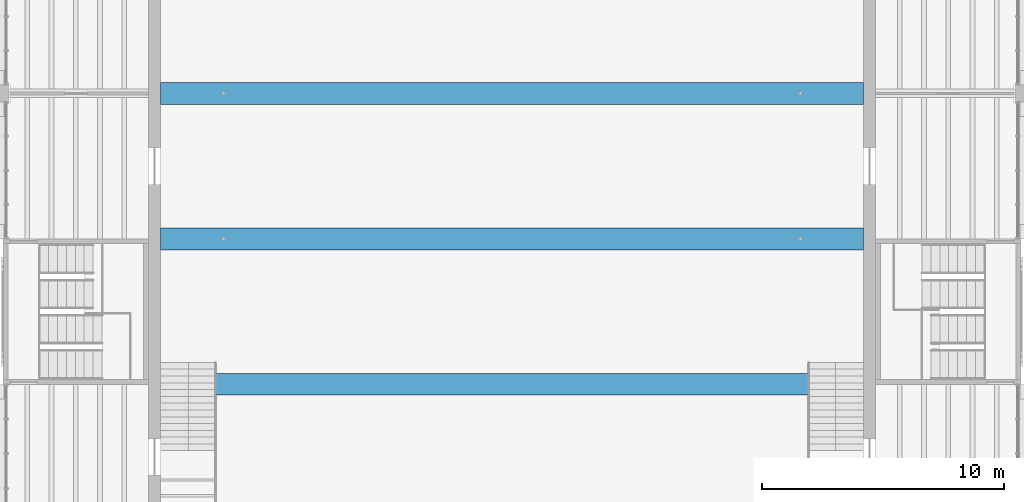
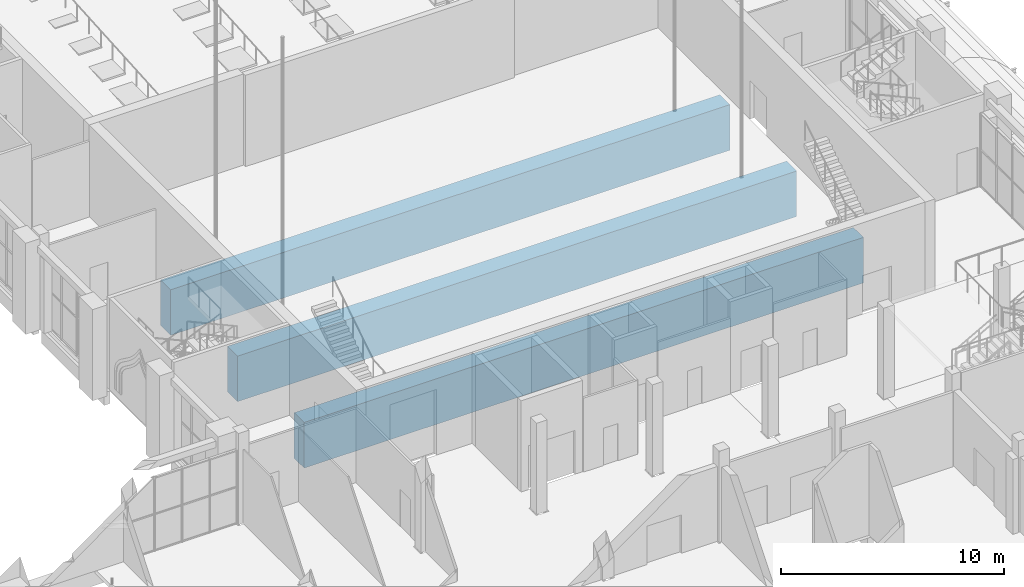
# One storey, part 12 of 80: 3 beams.
"""IFC4 building model written with IfcOpenShell, lengths in metres."""

from ifc_helpers import new_model, si_unit, direction, frame, origin, origin_2d, place, context, subcontext, project, spatial, rectangle, extrude, material, material_profile, profile_set, type_object, element, save


model = new_model("IFC4")

# Units and contexts
model_context = context("Model", 3, precision=1e-05, world=origin(), true_north=direction((0.0, 1.0)))
body_context = subcontext(model_context, "Body", "Model", "MODEL_VIEW")
ifc_project = project(units=[si_unit("LENGTHUNIT", "METRE"), si_unit("AREAUNIT", "SQUARE_METRE"), si_unit("VOLUMEUNIT", "CUBIC_METRE"), si_unit("PLANEANGLEUNIT", "RADIAN"), si_unit("MASSUNIT", "GRAM", prefix="KILO")], contexts=[model_context])

# Site, building, storey
site_placement = place(None, origin())
site = spatial("IfcSite", under=ifc_project, at=site_placement, CompositionType="ELEMENT")
building_placement = place(site_placement, origin())
building = spatial("IfcBuilding", under=site, at=building_placement, Name="Saffron Lane Theatres", CompositionType="ELEMENT")
storey_placement = place(building_placement, frame((0.0, 0.0, 7.0)))
storey = spatial("IfcBuildingStorey", under=building, at=storey_placement, Name="L01", CompositionType="ELEMENT", Elevation=7.0)

# Beams
ifc_material = material(Name="Concrete N50 (50 MPa)", Category="concrete")
ifc_material_profile = material_profile(ifc_material, rectangle(XDim=0.89990234375, YDim=2.5, at=origin_2d()))
ifc_profile_set = profile_set([ifc_material_profile], Name="Concrete N50 (50 MPa)")
beam_type = type_object("IfcBeamType", Name="RC-BEAM 900x2500", PredefinedType="BEAM", material=ifc_profile_set)
for number, where, z_axis, x_axis, name in (
    (1, (18.5, 36.0, -1.550048828125), (1.0, 0.0, 0.0), (0.0, 1.0, 0.0), "beam-L01-stage-girder-36"),
    (2, (18.5, 42.0, -1.550048828125), (1.0, 0.0, 0.0), (0.0, 1.0, 0.0), "beam-L01-stage-girder-42"),
    (3, (18.5, 48.0, -1.550048828125), (1.0, 0.0, 0.0), (0.0, 1.0, 0.0), "beam-L01-stage-girder-48"),
):
    element("IfcBeam", number, at=place(storey_placement, frame(where, z_axis=z_axis, x_axis=x_axis)), inside=storey, type_object=beam_type, Name=name, PredefinedType="BEAM", context=body_context, shape_type="SweptSolid", body=[
        extrude(rectangle(XDim=0.89990234375, YDim=2.5, at=origin_2d()), origin(), (0.0, 0.0, 1.0), 29.0),
    ])

save(model, "model.ifc")
